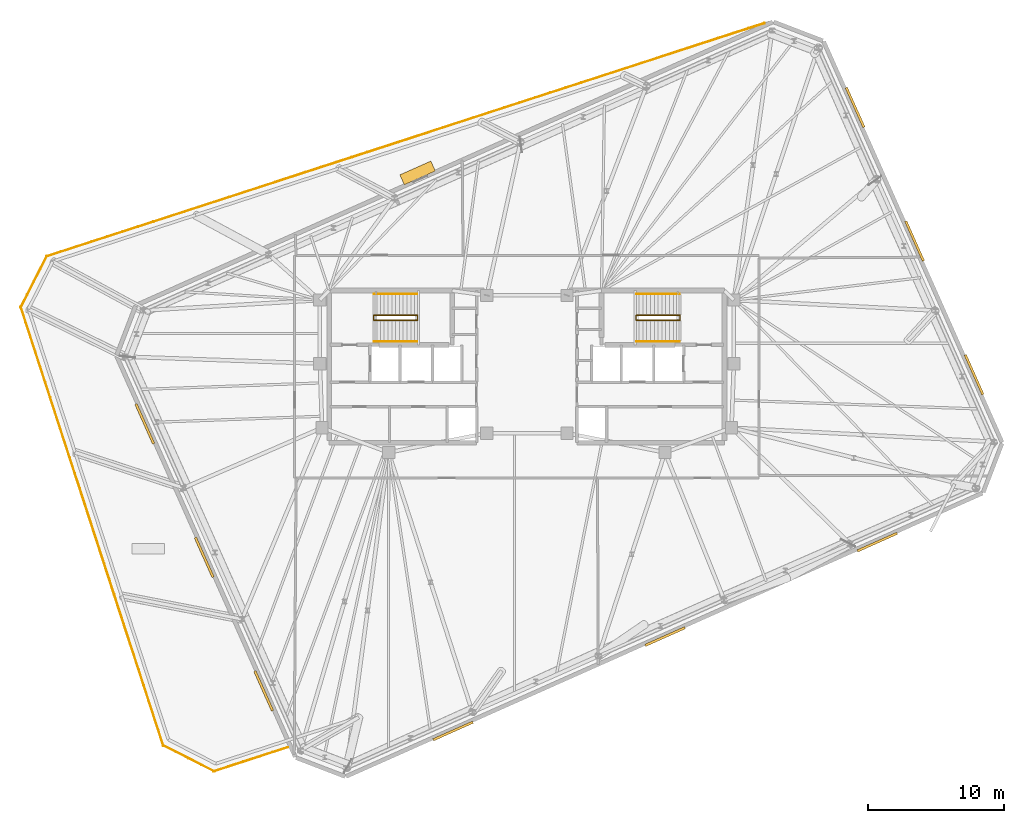
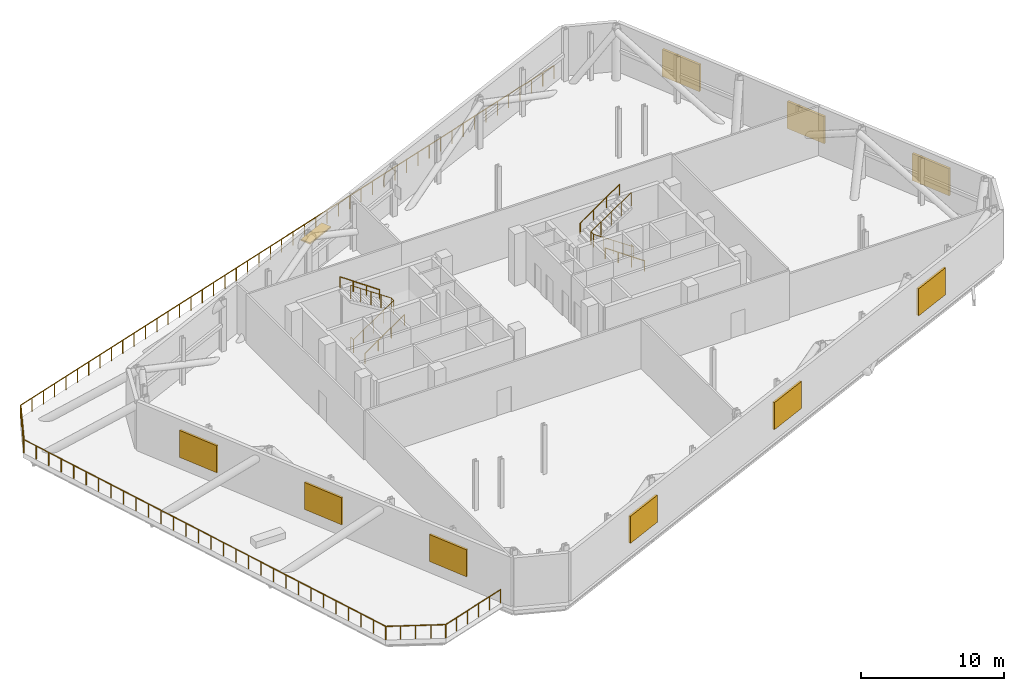
# One storey, part 15 of 15: 11 railings, 10 shading devices.
"""IFC4 building model written with IfcOpenShell, lengths in metres."""

import ifcopenshell
import ifcopenshell.guid

model = None  # the IFC model being written
_history = None  # IfcOwnerHistory: only IFC2X3 demands one
_inside = {}  # id of a spatial element -> (the spatial element, [elements in it])
_under = {}  # id of a project, library or spatial element -> (it, [spatial elements below it])
_declared = {}  # id of a project -> (the project, [libraries it declares])
_typed = {}  # id of a type object -> (the type object, [elements of that type])
_made_of = {}  # id of a material, layer set ... -> (it, [elements and type objects made of it])


def new_model(schema):
    """Start an empty IFC model of exactly this schema.

    Asked for "IFC4X3", IfcOpenShell would pick the latest addendum, in which some entities
    have other attributes; the version numbers below select the first issue.
    IFC2X3 requires an IfcOwnerHistory on every rooted entity: one is made here for all.
    """
    global model, _history
    if schema == "IFC4X3":
        model = ifcopenshell.file(schema_version=(4, 3, 0, 0))
    else:
        model = ifcopenshell.file(schema=schema)
    _inside.clear()
    _under.clear()
    _declared.clear()
    _typed.clear()
    _made_of.clear()
    _history = None
    if model.schema == "IFC2X3":
        org = make("IfcOrganization", Name="unknown")
        user = make(
            "IfcPersonAndOrganization",
            ThePerson=make("IfcPerson", FamilyName="unknown"),
            TheOrganization=org,
        )
        app = make(
            "IfcApplication",
            ApplicationDeveloper=org,
            Version="unknown",
            ApplicationFullName="unknown",
            ApplicationIdentifier="unknown",
        )
        _history = make(
            "IfcOwnerHistory",
            OwningUser=user,
            OwningApplication=app,
            ChangeAction="ADDED",
            CreationDate=0,
        )
    return model


def make(cls, **values):
    """One entity of the class cls with the attributes given. An attribute that is None is left unset."""
    return model.create_entity(
        cls, **{name: value for name, value in values.items() if value is not None}
    )


def rooted(cls, **values):
    """An entity with a GlobalId (a new one), such as an element, a storey or a relation."""
    return make(cls, GlobalId=ifcopenshell.guid.new(), OwnerHistory=_history, **values)


def si_unit(unit_type, name, prefix=None):
    """IfcSIUnit, for example si_unit("LENGTHUNIT", "METRE", prefix="MILLI")."""
    return make("IfcSIUnit", UnitType=unit_type, Prefix=prefix, Name=name)


def assignment(units):
    """IfcUnitAssignment: the units of a project."""
    return None if units is None else make("IfcUnitAssignment", Units=units)


def point(xyz):
    """IfcCartesianPoint."""
    return None if xyz is None else make("IfcCartesianPoint", Coordinates=xyz)


def direction(xyz):
    """IfcDirection."""
    return None if xyz is None else make("IfcDirection", DirectionRatios=xyz)


def frame(location, z_axis=None, x_axis=None):
    """IfcAxis2Placement3D, a coordinate frame: its origin and axes. An axis left out is left unset."""
    return make(
        "IfcAxis2Placement3D",
        Location=point(location),
        Axis=direction(z_axis),
        RefDirection=direction(x_axis),
    )


def frame_2d(location, x_axis=None):
    """IfcAxis2Placement2D, a coordinate frame in the plane: its origin and x axis."""
    return make(
        "IfcAxis2Placement2D", Location=point(location), RefDirection=direction(x_axis)
    )


def origin():
    """The frame at (0, 0, 0) with its axes left unset."""
    return frame((0.0, 0.0, 0.0))


def origin_2d():
    """The frame at (0, 0) in the plane with its x axis left unset."""
    return frame_2d((0.0, 0.0))


def place(relative_to, where):
    """IfcLocalPlacement: puts the frame where relative to a parent placement (None: the world)."""
    return make(
        "IfcLocalPlacement", PlacementRelTo=relative_to, RelativePlacement=where
    )


def context(
    kind, dimensions, precision=None, world=None, true_north=None, identifier=None
):
    """IfcGeometricRepresentationContext, for example the 3D "Model" context."""
    return make(
        "IfcGeometricRepresentationContext",
        ContextIdentifier=identifier,
        ContextType=kind,
        CoordinateSpaceDimension=dimensions,
        Precision=precision,
        WorldCoordinateSystem=world,
        TrueNorth=true_north,
    )


def subcontext(parent, identifier, kind, view, scale=None):
    """IfcGeometricRepresentationSubContext, for example "Body" below "Model"."""
    return make(
        "IfcGeometricRepresentationSubContext",
        ContextIdentifier=identifier,
        ContextType=kind,
        ParentContext=parent,
        TargetScale=scale,
        TargetView=view,
    )


def project(units=None, contexts=None):
    """IfcProject with its units and contexts."""
    return rooted(
        "IfcProject",
        Name="project",
        RepresentationContexts=contexts,
        UnitsInContext=assignment(units),
    )


def spatial(cls, under=None, at=None, **own):
    """A site, building, storey or space (cls), placed at a placement, below another one or the project."""
    s = rooted(cls, ObjectPlacement=at, **own)
    if under is not None:
        _under.setdefault(under.id(), (under, []))[1].append(s)
    return s


def profile(cls, at=None, kind="AREA", **sizes):
    """A parametric profile (cls). Its sizes go by their IFC names, for example OverallWidth=200.0."""
    return make(cls, ProfileType=kind, Position=at, **sizes)


def rectangle(**sizes):
    """IfcRectangleProfileDef."""
    return profile("IfcRectangleProfileDef", **sizes)


def circle(**sizes):
    """IfcCircleProfileDef."""
    return profile("IfcCircleProfileDef", **sizes)


def extrude(swept, where, along, depth):
    """IfcExtrudedAreaSolid: the profile swept, set in the frame where, extruded along a direction by depth."""
    return make(
        "IfcExtrudedAreaSolid",
        SweptArea=swept,
        Position=where,
        ExtrudedDirection=direction(along),
        Depth=depth,
    )


def shape(context_of_items, identifier, shape_type, items):
    """IfcShapeRepresentation: the items that make up one representation, for example the "Body"."""
    return make(
        "IfcShapeRepresentation",
        ContextOfItems=context_of_items,
        RepresentationIdentifier=identifier,
        RepresentationType=shape_type,
        Items=items,
    )


def material(Name=None, Category=None):
    """IfcMaterial."""
    return make("IfcMaterial", Name=Name, Category=Category)


def layer(
    of_material, thickness, ventilated=None, Name=None, Category=None, Priority=None
):
    """IfcMaterialLayer: one layer of a wall or slab, of a material (None: an air gap)."""
    return make(
        "IfcMaterialLayer",
        Material=of_material,
        LayerThickness=thickness,
        IsVentilated=ventilated,
        Name=Name,
        Category=Category,
        Priority=Priority,
    )


def layer_set(layers, Name=None):
    """IfcMaterialLayerSet."""
    return make("IfcMaterialLayerSet", MaterialLayers=layers, LayerSetName=Name)


def made_of(thing, what):
    """Note that an element or type object is made of a material, layer set ...; save() writes the relation."""
    if what is not None:
        _made_of.setdefault(what.id(), (what, []))[1].append(thing)
    return thing


def type_object(cls, material=None, **own):
    """A type object (cls), such as IfcWallType, which elements share."""
    return made_of(rooted(cls, **own), material)


def element(
    cls,
    number,
    at=None,
    inside=None,
    cuts=None,
    type_object=None,
    material=None,
    context=None,
    identifier="Body",
    shape_type=None,
    held_by="IfcProductDefinitionShape",
    body=None,
    shapes=None,
    **own,
):
    """One element of the class cls, such as IfcWall. Its Tag is "e" and its number.

    at: its placement. inside: the storey or other place that contains it. cuts: it is an
    opening in that element (IfcRelVoidsElement). A single representation is given by context,
    identifier, shape_type and body (its items); several are given by shapes. held_by: the class
    of the entity that holds the representations. save() writes the other relations.
    """
    e = rooted(cls, Tag="e%d" % number, ObjectPlacement=at, **own)
    if body is not None:
        shapes = [shape(context, identifier, shape_type, body)]
    if shapes is not None:
        e.Representation = make(held_by, Representations=shapes)
    if inside is not None:
        _inside.setdefault(inside.id(), (inside, []))[1].append(e)
    if cuts is not None:
        rooted(
            "IfcRelVoidsElement", RelatingBuildingElement=cuts, RelatedOpeningElement=e
        )
    if type_object is not None:
        _typed.setdefault(type_object.id(), (type_object, []))[1].append(e)
    return made_of(e, material)


def aggregate(whole, parts):
    """IfcRelAggregates: a whole, such as a stair, and the parts it consists of."""
    return rooted("IfcRelAggregates", RelatingObject=whole, RelatedObjects=parts)


def save(model, path):
    """Write the relations noted so far, then the file.

    IfcRelAggregates (storeys below a building ...), IfcRelContainedInSpatialStructure (elements
    in a storey), IfcRelDefinesByType, IfcRelAssociatesMaterial and IfcRelDeclares: one each for
    every whole, place, type object, material and project.
    """
    for whole, parts in _under.values():
        aggregate(whole, parts)
    for where, things in _inside.values():
        rooted(
            "IfcRelContainedInSpatialStructure",
            RelatedElements=things,
            RelatingStructure=where,
        )
    for kind, things in _typed.values():
        rooted("IfcRelDefinesByType", RelatedObjects=things, RelatingType=kind)
    for what, things in _made_of.values():
        rooted("IfcRelAssociatesMaterial", RelatedObjects=things, RelatingMaterial=what)
    for by, libraries in _declared.values():
        rooted("IfcRelDeclares", RelatingContext=by, RelatedDefinitions=libraries)
    model.write(path)


model = new_model("IFC4")

# Units and contexts
model_context = context("Model", 3, precision=1e-05, world=origin(), true_north=direction((0.0, 1.0)))
body_context = subcontext(model_context, "Body", "Model", "MODEL_VIEW")
ifc_project = project(units=[si_unit("LENGTHUNIT", "METRE"), si_unit("AREAUNIT", "SQUARE_METRE"), si_unit("VOLUMEUNIT", "CUBIC_METRE"), si_unit("PLANEANGLEUNIT", "RADIAN"), si_unit("MASSUNIT", "GRAM", prefix="KILO")], contexts=[model_context])

# Site, building, storey
site_placement = place(None, origin())
site = spatial("IfcSite", under=ifc_project, at=site_placement, CompositionType="ELEMENT")
building_placement = place(site_placement, origin())
building = spatial("IfcBuilding", under=site, at=building_placement, Name="Menara Jurai Vektor", CompositionType="ELEMENT")
storey_placement = place(building_placement, frame((0.0, 0.0, 254.449951171875)))
storey = spatial("IfcBuildingStorey", under=building, at=storey_placement, Name="L68", CompositionType="ELEMENT", Elevation=254.449951171875)

# Railings
ifc_material_1 = material(Name="Anodised Pale Aluminium & Laminated Glass Guardrail", Category="aluminium")
ifc_layer = layer(ifc_material_1, 0.070068359375)
ifc_layer_set = layer_set([ifc_layer], Name="Anodised Pale Aluminium & Laminated Glass Guardrail")
railing_type_1 = type_object("IfcRailingType", Name="ENV-RAIL-TER115", PredefinedType="GUARDRAIL", material=ifc_layer_set)
railing_1_placement = place(storey_placement, frame((17.504150390625, 25.29833984375, 0.0)))
element("IfcRailing", 1, at=railing_1_placement, inside=storey, type_object=railing_type_1, Name="Spiral Terrace Guardrail L68-STEP-01", PredefinedType="GUARDRAIL", context=body_context, shape_type="SweptSolid", body=[
    extrude(circle(Radius=0.02392578125, at=origin_2d()), frame((0.0, 0.0, 1.1259765625), z_axis=(-0.951056647091, -0.309016591827, 0.0), x_axis=(0.309016591827, -0.951056647091, 0.0)), (0.0, 0.0, 1.0), 55.61767578125),
    extrude(circle(Radius=0.02099609375, at=origin_2d()), origin(), (0.0, 0.0, 1.0), 1.101806640625),
    extrude(circle(Radius=0.02099609375, at=origin_2d()), frame((-1.12548828125, -0.36572265625, 0.0)), (0.0, 0.0, 1.0), 1.101806640625),
    extrude(circle(Radius=0.02099609375, at=origin_2d()), frame((-2.2509765625, -0.7314453125, 0.0)), (0.0, 0.0, 1.0), 1.101806640625),
    extrude(circle(Radius=0.02099609375, at=origin_2d()), frame((-3.376220703125, -1.096923828125, 0.0)), (0.0, 0.0, 1.0), 1.101806640625),
    extrude(circle(Radius=0.02099609375, at=origin_2d()), frame((-4.501708984375, -1.462646484375, 0.0)), (0.0, 0.0, 1.0), 1.101806640625),
    extrude(circle(Radius=0.02099609375, at=origin_2d()), frame((-5.627197265625, -1.828369140625, 0.0)), (0.0, 0.0, 1.0), 1.101806640625),
    extrude(circle(Radius=0.02099609375, at=origin_2d()), frame((-6.752685546875, -2.194091796875, 0.0)), (0.0, 0.0, 1.0), 1.101806640625),
    extrude(circle(Radius=0.02099609375, at=origin_2d()), frame((-7.878173828125, -2.559814453125, 0.0)), (0.0, 0.0, 1.0), 1.101806640625),
    extrude(circle(Radius=0.02099609375, at=origin_2d()), frame((-9.00341796875, -2.92529296875, 0.0)), (0.0, 0.0, 1.0), 1.101806640625),
    extrude(circle(Radius=0.02099609375, at=origin_2d()), frame((-10.12890625, -3.291015625, 0.0)), (0.0, 0.0, 1.0), 1.101806640625),
    extrude(circle(Radius=0.02099609375, at=origin_2d()), frame((-11.25439453125, -3.65673828125, 0.0)), (0.0, 0.0, 1.0), 1.101806640625),
    extrude(circle(Radius=0.02099609375, at=origin_2d()), frame((-12.3798828125, -4.0224609375, 0.0)), (0.0, 0.0, 1.0), 1.101806640625),
    extrude(circle(Radius=0.02099609375, at=origin_2d()), frame((-13.505126953125, -4.38818359375, 0.0)), (0.0, 0.0, 1.0), 1.101806640625),
    extrude(circle(Radius=0.02099609375, at=origin_2d()), frame((-14.630615234375, -4.75390625, 0.0)), (0.0, 0.0, 1.0), 1.101806640625),
    extrude(circle(Radius=0.02099609375, at=origin_2d()), frame((-15.756103515625, -5.119384765625, 0.0)), (0.0, 0.0, 1.0), 1.101806640625),
    extrude(circle(Radius=0.02099609375, at=origin_2d()), frame((-16.881591796875, -5.485107421875, 0.0)), (0.0, 0.0, 1.0), 1.101806640625),
    extrude(circle(Radius=0.02099609375, at=origin_2d()), frame((-18.007080078125, -5.850830078125, 0.0)), (0.0, 0.0, 1.0), 1.101806640625),
    extrude(circle(Radius=0.02099609375, at=origin_2d()), frame((-19.13232421875, -6.216552734375, 0.0)), (0.0, 0.0, 1.0), 1.101806640625),
    extrude(circle(Radius=0.02099609375, at=origin_2d()), frame((-20.2578125, -6.582275390625, 0.0)), (0.0, 0.0, 1.0), 1.101806640625),
    extrude(circle(Radius=0.02099609375, at=origin_2d()), frame((-21.38330078125, -6.94775390625, 0.0)), (0.0, 0.0, 1.0), 1.101806640625),
    extrude(circle(Radius=0.02099609375, at=origin_2d()), frame((-22.5087890625, -7.3134765625, 0.0)), (0.0, 0.0, 1.0), 1.101806640625),
    extrude(circle(Radius=0.02099609375, at=origin_2d()), frame((-23.63427734375, -7.67919921875, 0.0)), (0.0, 0.0, 1.0), 1.101806640625),
    extrude(circle(Radius=0.02099609375, at=origin_2d()), frame((-24.759521484375, -8.044921875, 0.0)), (0.0, 0.0, 1.0), 1.101806640625),
    extrude(circle(Radius=0.02099609375, at=origin_2d()), frame((-25.885009765625, -8.41064453125, 0.0)), (0.0, 0.0, 1.0), 1.101806640625),
    extrude(circle(Radius=0.02099609375, at=origin_2d()), frame((-27.010498046875, -8.776123046875, 0.0)), (0.0, 0.0, 1.0), 1.101806640625),
    extrude(circle(Radius=0.02099609375, at=origin_2d()), frame((-28.135986328125, -9.141845703125, 0.0)), (0.0, 0.0, 1.0), 1.101806640625),
    extrude(circle(Radius=0.02099609375, at=origin_2d()), frame((-29.26123046875, -9.507568359375, 0.0)), (0.0, 0.0, 1.0), 1.101806640625),
    extrude(circle(Radius=0.02099609375, at=origin_2d()), frame((-30.38671875, -9.873291015625, 0.0)), (0.0, 0.0, 1.0), 1.101806640625),
    extrude(circle(Radius=0.02099609375, at=origin_2d()), frame((-31.51220703125, -10.239013671875, 0.0)), (0.0, 0.0, 1.0), 1.101806640625),
    extrude(circle(Radius=0.02099609375, at=origin_2d()), frame((-32.6376953125, -10.6044921875, 0.0)), (0.0, 0.0, 1.0), 1.101806640625),
    extrude(circle(Radius=0.02099609375, at=origin_2d()), frame((-33.76318359375, -10.97021484375, 0.0)), (0.0, 0.0, 1.0), 1.101806640625),
    extrude(circle(Radius=0.02099609375, at=origin_2d()), frame((-34.888427734375, -11.3359375, 0.0)), (0.0, 0.0, 1.0), 1.101806640625),
    extrude(circle(Radius=0.02099609375, at=origin_2d()), frame((-36.013916015625, -11.70166015625, 0.0)), (0.0, 0.0, 1.0), 1.101806640625),
    extrude(circle(Radius=0.02099609375, at=origin_2d()), frame((-37.139404296875, -12.0673828125, 0.0)), (0.0, 0.0, 1.0), 1.101806640625),
    extrude(circle(Radius=0.02099609375, at=origin_2d()), frame((-38.264892578125, -12.432861328125, 0.0)), (0.0, 0.0, 1.0), 1.101806640625),
    extrude(circle(Radius=0.02099609375, at=origin_2d()), frame((-39.390380859375, -12.798583984375, 0.0)), (0.0, 0.0, 1.0), 1.101806640625),
    extrude(circle(Radius=0.02099609375, at=origin_2d()), frame((-40.515625, -13.164306640625, 0.0)), (0.0, 0.0, 1.0), 1.101806640625),
    extrude(circle(Radius=0.02099609375, at=origin_2d()), frame((-41.64111328125, -13.530029296875, 0.0)), (0.0, 0.0, 1.0), 1.101806640625),
    extrude(circle(Radius=0.02099609375, at=origin_2d()), frame((-42.7666015625, -13.895751953125, 0.0)), (0.0, 0.0, 1.0), 1.101806640625),
    extrude(circle(Radius=0.02099609375, at=origin_2d()), frame((-43.89208984375, -14.261474609375, 0.0)), (0.0, 0.0, 1.0), 1.101806640625),
    extrude(circle(Radius=0.02099609375, at=origin_2d()), frame((-45.017333984375, -14.626953125, 0.0)), (0.0, 0.0, 1.0), 1.101806640625),
    extrude(circle(Radius=0.02099609375, at=origin_2d()), frame((-46.142822265625, -14.99267578125, 0.0)), (0.0, 0.0, 1.0), 1.101806640625),
    extrude(circle(Radius=0.02099609375, at=origin_2d()), frame((-47.268310546875, -15.3583984375, 0.0)), (0.0, 0.0, 1.0), 1.101806640625),
    extrude(circle(Radius=0.02099609375, at=origin_2d()), frame((-48.393798828125, -15.72412109375, 0.0)), (0.0, 0.0, 1.0), 1.101806640625),
    extrude(circle(Radius=0.02099609375, at=origin_2d()), frame((-49.519287109375, -16.08984375, 0.0)), (0.0, 0.0, 1.0), 1.101806640625),
    extrude(circle(Radius=0.02099609375, at=origin_2d()), frame((-50.64453125, -16.455322265625, 0.0)), (0.0, 0.0, 1.0), 1.101806640625),
    extrude(circle(Radius=0.02099609375, at=origin_2d()), frame((-51.77001953125, -16.821044921875, 0.0)), (0.0, 0.0, 1.0), 1.101806640625),
    extrude(circle(Radius=0.02099609375, at=origin_2d()), frame((-52.8955078125, -17.186767578125, 0.0)), (0.0, 0.0, 1.0), 1.101806640625),
])
railing_2_placement = place(storey_placement, frame((-35.3564453125, 8.1416015625, 0.0)))
element("IfcRailing", 2, at=railing_2_placement, inside=storey, type_object=railing_type_1, Name="Spiral Terrace Guardrail L68-STEP-02", PredefinedType="GUARDRAIL", context=body_context, shape_type="SweptSolid", body=[
    extrude(circle(Radius=0.02392578125, at=origin_2d()), frame((0.0, 0.0, 1.1259765625), z_axis=(-0.453944744959, -0.891029835934, 0.0), x_axis=(0.891029835934, -0.453944744959, 0.0)), (0.0, 0.0, 1.0), 4.242919921875),
    extrude(circle(Radius=0.02099609375, at=origin_2d()), origin(), (0.0, 0.0, 1.0), 1.101806640625),
    extrude(circle(Radius=0.02099609375, at=origin_2d()), frame((-0.4814453125, -0.945068359375, 0.0)), (0.0, 0.0, 1.0), 1.101806640625),
    extrude(circle(Radius=0.02099609375, at=origin_2d()), frame((-0.962890625, -1.89013671875, 0.0)), (0.0, 0.0, 1.0), 1.101806640625),
    extrude(circle(Radius=0.02099609375, at=origin_2d()), frame((-1.444580078125, -2.83544921875, 0.0)), (0.0, 0.0, 1.0), 1.101806640625),
    extrude(circle(Radius=0.02099609375, at=origin_2d()), frame((-1.926025390625, -3.780517578125, 0.0)), (0.0, 0.0, 1.0), 1.101806640625),
])
railing_3_placement = place(storey_placement, frame((-37.27880859375, 4.406982421875, 0.0)))
element("IfcRailing", 3, at=railing_3_placement, inside=storey, type_object=railing_type_1, Name="Spiral Terrace Guardrail L68-STEP-03", PredefinedType="GUARDRAIL", context=body_context, shape_type="SweptSolid", body=[
    extrude(circle(Radius=0.02392578125, at=origin_2d()), frame((0.0, 0.0, 1.1259765625), z_axis=(0.309010733732, -0.951058550479, 0.0), x_axis=(0.951058550479, 0.309010733732, 0.0)), (0.0, 0.0, 1.0), 34.0),
    extrude(circle(Radius=0.02099609375, at=origin_2d()), origin(), (0.0, 0.0, 1.0), 1.101806640625),
    extrude(circle(Radius=0.02099609375, at=origin_2d()), frame((0.3623046875, -1.114990234375, 0.0)), (0.0, 0.0, 1.0), 1.101806640625),
    extrude(circle(Radius=0.02099609375, at=origin_2d()), frame((0.724609375, -2.22998046875, 0.0)), (0.0, 0.0, 1.0), 1.101806640625),
    extrude(circle(Radius=0.02099609375, at=origin_2d()), frame((1.0869140625, -3.34521484375, 0.0)), (0.0, 0.0, 1.0), 1.101806640625),
    extrude(circle(Radius=0.02099609375, at=origin_2d()), frame((1.44921875, -4.460205078125, 0.0)), (0.0, 0.0, 1.0), 1.101806640625),
    extrude(circle(Radius=0.02099609375, at=origin_2d()), frame((1.8115234375, -5.5751953125, 0.0)), (0.0, 0.0, 1.0), 1.101806640625),
    extrude(circle(Radius=0.02099609375, at=origin_2d()), frame((2.173828125, -6.690185546875, 0.0)), (0.0, 0.0, 1.0), 1.101806640625),
    extrude(circle(Radius=0.02099609375, at=origin_2d()), frame((2.5361328125, -7.80517578125, 0.0)), (0.0, 0.0, 1.0), 1.101806640625),
    extrude(circle(Radius=0.02099609375, at=origin_2d()), frame((2.898193359375, -8.920166015625, 0.0)), (0.0, 0.0, 1.0), 1.101806640625),
    extrude(circle(Radius=0.02099609375, at=origin_2d()), frame((3.260498046875, -10.035400390625, 0.0)), (0.0, 0.0, 1.0), 1.101806640625),
    extrude(circle(Radius=0.02099609375, at=origin_2d()), frame((3.622802734375, -11.150390625, 0.0)), (0.0, 0.0, 1.0), 1.101806640625),
    extrude(circle(Radius=0.02099609375, at=origin_2d()), frame((3.985107421875, -12.265380859375, 0.0)), (0.0, 0.0, 1.0), 1.101806640625),
    extrude(circle(Radius=0.02099609375, at=origin_2d()), frame((4.347412109375, -13.38037109375, 0.0)), (0.0, 0.0, 1.0), 1.101806640625),
    extrude(circle(Radius=0.02099609375, at=origin_2d()), frame((4.709716796875, -14.495361328125, 0.0)), (0.0, 0.0, 1.0), 1.101806640625),
    extrude(circle(Radius=0.02099609375, at=origin_2d()), frame((5.072021484375, -15.6103515625, 0.0)), (0.0, 0.0, 1.0), 1.101806640625),
    extrude(circle(Radius=0.02099609375, at=origin_2d()), frame((5.434326171875, -16.7255859375, 0.0)), (0.0, 0.0, 1.0), 1.101806640625),
    extrude(circle(Radius=0.02099609375, at=origin_2d()), frame((5.796630859375, -17.840576171875, 0.0)), (0.0, 0.0, 1.0), 1.101806640625),
    extrude(circle(Radius=0.02099609375, at=origin_2d()), frame((6.158935546875, -18.95556640625, 0.0)), (0.0, 0.0, 1.0), 1.101806640625),
    extrude(circle(Radius=0.02099609375, at=origin_2d()), frame((6.521240234375, -20.070556640625, 0.0)), (0.0, 0.0, 1.0), 1.101806640625),
    extrude(circle(Radius=0.02099609375, at=origin_2d()), frame((6.883544921875, -21.185546875, 0.0)), (0.0, 0.0, 1.0), 1.101806640625),
    extrude(circle(Radius=0.02099609375, at=origin_2d()), frame((7.245849609375, -22.300537109375, 0.0)), (0.0, 0.0, 1.0), 1.101806640625),
    extrude(circle(Radius=0.02099609375, at=origin_2d()), frame((7.608154296875, -23.415771484375, 0.0)), (0.0, 0.0, 1.0), 1.101806640625),
    extrude(circle(Radius=0.02099609375, at=origin_2d()), frame((7.97021484375, -24.53076171875, 0.0)), (0.0, 0.0, 1.0), 1.101806640625),
    extrude(circle(Radius=0.02099609375, at=origin_2d()), frame((8.33251953125, -25.645751953125, 0.0)), (0.0, 0.0, 1.0), 1.101806640625),
    extrude(circle(Radius=0.02099609375, at=origin_2d()), frame((8.69482421875, -26.7607421875, 0.0)), (0.0, 0.0, 1.0), 1.101806640625),
    extrude(circle(Radius=0.02099609375, at=origin_2d()), frame((9.05712890625, -27.875732421875, 0.0)), (0.0, 0.0, 1.0), 1.101806640625),
    extrude(circle(Radius=0.02099609375, at=origin_2d()), frame((9.41943359375, -28.99072265625, 0.0)), (0.0, 0.0, 1.0), 1.101806640625),
    extrude(circle(Radius=0.02099609375, at=origin_2d()), frame((9.78173828125, -30.10595703125, 0.0)), (0.0, 0.0, 1.0), 1.101806640625),
    extrude(circle(Radius=0.02099609375, at=origin_2d()), frame((10.14404296875, -31.220947265625, 0.0)), (0.0, 0.0, 1.0), 1.101806640625),
    extrude(circle(Radius=0.02099609375, at=origin_2d()), frame((10.50634765625, -32.3359375, 0.0)), (0.0, 0.0, 1.0), 1.101806640625),
])
railing_4_placement = place(storey_placement, frame((-26.80224609375, -27.89404296875, 0.0)))
element("IfcRailing", 4, at=railing_4_placement, inside=storey, type_object=railing_type_1, Name="Spiral Terrace Guardrail L68-STEP-04", PredefinedType="GUARDRAIL", context=body_context, shape_type="SweptSolid", body=[
    extrude(circle(Radius=0.02392578125, at=origin_2d()), frame((0.0, 0.0, 1.1259765625), z_axis=(0.891017977689, -0.453968020278, 0.0), x_axis=(0.453968020278, 0.891017977689, 0.0)), (0.0, 0.0, 1.0), 4.24267578125),
    extrude(circle(Radius=0.02099609375, at=origin_2d()), origin(), (0.0, 0.0, 1.0), 1.101806640625),
    extrude(circle(Radius=0.02099609375, at=origin_2d()), frame((0.945068359375, -0.4814453125, 0.0)), (0.0, 0.0, 1.0), 1.101806640625),
    extrude(circle(Radius=0.02099609375, at=origin_2d()), frame((1.89013671875, -0.962890625, 0.0)), (0.0, 0.0, 1.0), 1.101806640625),
    extrude(circle(Radius=0.02099609375, at=origin_2d()), frame((2.835205078125, -1.444580078125, 0.0)), (0.0, 0.0, 1.0), 1.101806640625),
    extrude(circle(Radius=0.02099609375, at=origin_2d()), frame((3.7802734375, -1.926025390625, 0.0)), (0.0, 0.0, 1.0), 1.101806640625),
])
railing_5_placement = place(storey_placement, frame((-23.067626953125, -29.81640625, 0.0)))
element("IfcRailing", 5, at=railing_5_placement, inside=storey, type_object=railing_type_1, Name="Spiral Terrace Guardrail L68-STEP-05", PredefinedType="GUARDRAIL", context=body_context, shape_type="SweptSolid", body=[
    extrude(circle(Radius=0.02392578125, at=origin_2d()), frame((0.0, 0.0, 1.1259765625), z_axis=(0.951052838013, 0.309028314733, 0.0), x_axis=(-0.309028314733, 0.951052838013, 0.0)), (0.0, 0.0, 1.0), 5.73486328125),
    extrude(circle(Radius=0.02099609375, at=origin_2d()), origin(), (0.0, 0.0, 1.0), 1.101806640625),
    extrude(circle(Radius=0.02099609375, at=origin_2d()), frame((1.0908203125, 0.3544921875, 0.0)), (0.0, 0.0, 1.0), 1.101806640625),
    extrude(circle(Radius=0.02099609375, at=origin_2d()), frame((2.181640625, 0.708984375, 0.0)), (0.0, 0.0, 1.0), 1.101806640625),
    extrude(circle(Radius=0.02099609375, at=origin_2d()), frame((3.2724609375, 1.063232421875, 0.0)), (0.0, 0.0, 1.0), 1.101806640625),
    extrude(circle(Radius=0.02099609375, at=origin_2d()), frame((4.36328125, 1.417724609375, 0.0)), (0.0, 0.0, 1.0), 1.101806640625),
    extrude(circle(Radius=0.02099609375, at=origin_2d()), frame((5.4541015625, 1.772216796875, 0.0)), (0.0, 0.0, 1.0), 1.101806640625),
])

# Shading devices
ifc_material_2 = material(Name="Anodised Pale Aluminium Acoustic Louvre", Category="aluminium")
shading_device_type_1 = type_object("IfcShadingDeviceType", Name="ENV-SHD-LOUVRE", PredefinedType="USERDEFINED", material=ifc_material_2)
for number, where, z_axis, x_axis, name in (
    (6, (-5.439697265625, -26.841796875, 1.02099609375), (0.0, 0.0, 1.0), (0.913545457643, 0.406736643076, 0.0), "Acoustic Plant Weather Louvre L68-E01-1"),
    (7, (10.184814453125, -19.88525390625, 1.02099609375), (0.0, 0.0, 1.0), (0.913545457643, 0.406736643076, 0.0), "Acoustic Plant Weather Louvre L68-E01-2"),
    (8, (25.8095703125, -12.9287109375, 1.02099609375), (0.0, 0.0, 1.0), (0.913545457643, 0.406736643076, 0.0), "Acoustic Plant Weather Louvre L68-E01-3"),
    (9, (32.944580078125, -0.58984375, 1.02099609375), (0.0, 0.0, 1.0), (-0.406736643076, 0.913545457643, 0.0), "Acoustic Plant Weather Louvre L68-E03-1"),
    (10, (28.56396484375, 9.248779296875, 1.02099609375), (0.0, 0.0, 1.0), (-0.406736643076, 0.913545457643, 0.0), "Acoustic Plant Weather Louvre L68-E03-2"),
    (11, (24.183349609375, 19.087890625, 1.02099609375), (0.0, 0.0, 1.0), (-0.406736643076, 0.913545457643, 0.0), "Acoustic Plant Weather Louvre L68-E03-3"),
    (12, (-28.14453125, -4.210205078125, 1.02099609375), (0.0, 0.0, 1.0), (0.406736643076, -0.913545457643, 0.0), "Acoustic Plant Weather Louvre L68-E07-1"),
    (13, (-23.763916015625, -14.048828125, 1.02099609375), (0.0, 0.0, 1.0), (0.406736643076, -0.913545457643, 0.0), "Acoustic Plant Weather Louvre L68-E07-2"),
    (14, (-19.38330078125, -23.8876953125, 1.02099609375), (0.0, 0.0, 1.0), (0.406736643076, -0.913545457643, 0.0), "Acoustic Plant Weather Louvre L68-E07-3"),
):
    element("IfcShadingDevice", number, at=place(storey_placement, frame(where, z_axis=z_axis, x_axis=x_axis)), inside=storey, type_object=shading_device_type_1, Name=name, ObjectType="LOUVRE", PredefinedType="USERDEFINED", context=body_context, shape_type="SweptSolid", body=[
        extrude(rectangle(XDim=3.199951171875, YDim=0.179931640625, at=origin_2d()), origin(), (0.0, 0.0, 1.0), 2.300048828125),
    ])
ifc_material_3 = material(Name="Anodised Pale Aluminium Sunshade Blade", Category="aluminium")
shading_device_type_2 = type_object("IfcShadingDeviceType", Name="ENV-SHD-SUNSHADE", PredefinedType="USERDEFINED", material=ifc_material_3)
shading_device_placement = place(storey_placement, frame((-8.04931640625, 14.271240234375, 2.389892578125), z_axis=(0.0, 0.0, 1.0), x_axis=(-0.913545457643, -0.406736643076, 0.0)))
element("IfcShadingDevice", 15, at=shading_device_placement, inside=storey, type_object=shading_device_type_2, Name="Doorway Pale-Metal Sunshade L68-STEP", ObjectType="SUNSHADE", PredefinedType="USERDEFINED", context=body_context, shape_type="SweptSolid", body=[
    extrude(rectangle(XDim=2.5, YDim=0.800048828125, at=origin_2d()), origin(), (0.0, 0.0, 1.0), 0.1201171875),
])

# Railings
ifc_material_4 = material(Name="Painted Galvanised Steel Balustrade", Category="steel")
railing_type_2 = type_object("IfcRailingType", Name="RAIL-STAIR-GUARD", PredefinedType="GUARDRAIL", material=ifc_material_4)
railing_6_placement = place(storey_placement, frame((-11.2900390625, 3.780029296875, 0.0)))
element("IfcRailing", 16, at=railing_6_placement, inside=storey, type_object=railing_type_2, Name="ST1 Stair Guardrail 1 L68", PredefinedType="GUARDRAIL", context=body_context, shape_type="SweptSolid", body=[
    extrude(circle(Radius=0.02392578125, at=origin_2d()), frame((0.0, 0.0, 1.1259765625), z_axis=(0.0, -1.0, 0.0), x_axis=(1.0, 0.0, 0.0)), (0.0, 0.0, 1.0), 0.360107421875),
    extrude(circle(Radius=0.02392578125, at=origin_2d()), frame((0.0, -0.360107421875, 1.1259765625), z_axis=(0.827311259865, 0.0, 0.56174378439), x_axis=(0.0, 1.0, 0.0)), (0.0, 0.0, 1.0), 3.916259765625),
    extrude(circle(Radius=0.02392578125, at=origin_2d()), frame((3.239990234375, -0.360107421875, 3.32568359375), z_axis=(0.0, 1.0, 0.0), x_axis=(-1.0, 0.0, 0.0)), (0.0, 0.0, 1.0), 0.360107421875),
    extrude(circle(Radius=0.02392578125, at=origin_2d()), frame((3.239990234375, 0.0, 3.32568359375), z_axis=(-0.827282288178, 0.0, 0.561786450234), x_axis=(0.0, -1.0, 0.0)), (0.0, 0.0, 1.0), 3.91650390625),
    extrude(circle(Radius=0.02099609375, at=origin_2d()), origin(), (0.0, 0.0, 1.0), 1.101806640625),
    extrude(circle(Radius=0.02099609375, at=origin_2d()), frame((0.0, -0.360107421875, 0.0)), (0.0, 0.0, 1.0), 1.101806640625),
    extrude(circle(Radius=0.02099609375, at=origin_2d()), frame((0.81005859375, -0.360107421875, 0.550048828125)), (0.0, 0.0, 1.0), 1.101806640625),
    extrude(circle(Radius=0.02099609375, at=origin_2d()), frame((1.6201171875, -0.360107421875, 1.10009765625)), (0.0, 0.0, 1.0), 1.101806640625),
    extrude(circle(Radius=0.02099609375, at=origin_2d()), frame((2.429931640625, -0.360107421875, 1.64990234375)), (0.0, 0.0, 1.0), 1.101806640625),
    extrude(circle(Radius=0.02099609375, at=origin_2d()), frame((3.239990234375, -0.360107421875, 2.199951171875)), (0.0, 0.0, 1.0), 1.101806640625),
    extrude(circle(Radius=0.02099609375, at=origin_2d()), frame((3.239990234375, 0.0, 2.199951171875)), (0.0, 0.0, 1.0), 1.101806640625),
    extrude(circle(Radius=0.02099609375, at=origin_2d()), frame((2.429931640625, 0.0, 2.75)), (0.0, 0.0, 1.0), 1.101806640625),
    extrude(circle(Radius=0.02099609375, at=origin_2d()), frame((1.6201171875, 0.0, 3.300048828125)), (0.0, 0.0, 1.0), 1.101806640625),
    extrude(circle(Radius=0.02099609375, at=origin_2d()), frame((0.81005859375, 0.0, 3.85009765625)), (0.0, 0.0, 1.0), 1.101806640625),
    extrude(circle(Radius=0.02099609375, at=origin_2d()), frame((0.0, 0.0, 4.400146484375)), (0.0, 0.0, 1.0), 1.101806640625),
])
railing_7_placement = place(storey_placement, frame((11.2900390625, 3.780029296875, 0.0)))
element("IfcRailing", 17, at=railing_7_placement, inside=storey, type_object=railing_type_2, Name="ST2 Stair Guardrail 1 L68", PredefinedType="GUARDRAIL", context=body_context, shape_type="SweptSolid", body=[
    extrude(circle(Radius=0.02392578125, at=origin_2d()), frame((0.0, 0.0, 1.1259765625), z_axis=(0.0, -1.0, 0.0), x_axis=(1.0, 0.0, 0.0)), (0.0, 0.0, 1.0), 0.360107421875),
    extrude(circle(Radius=0.02392578125, at=origin_2d()), frame((0.0, -0.360107421875, 1.1259765625), z_axis=(-0.827311259865, 0.0, 0.56174378439), x_axis=(0.0, -1.0, 0.0)), (0.0, 0.0, 1.0), 3.916259765625),
    extrude(circle(Radius=0.02392578125, at=origin_2d()), frame((-3.239990234375, -0.360107421875, 3.32568359375), z_axis=(0.0, 1.0, 0.0), x_axis=(-1.0, 0.0, 0.0)), (0.0, 0.0, 1.0), 0.360107421875),
    extrude(circle(Radius=0.02392578125, at=origin_2d()), frame((-3.239990234375, 0.0, 3.32568359375), z_axis=(0.827282288178, 0.0, 0.561786450234), x_axis=(0.0, 1.0, 0.0)), (0.0, 0.0, 1.0), 3.91650390625),
    extrude(circle(Radius=0.02099609375, at=origin_2d()), origin(), (0.0, 0.0, 1.0), 1.101806640625),
    extrude(circle(Radius=0.02099609375, at=origin_2d()), frame((0.0, -0.360107421875, 0.0)), (0.0, 0.0, 1.0), 1.101806640625),
    extrude(circle(Radius=0.02099609375, at=origin_2d()), frame((-0.81005859375, -0.360107421875, 0.550048828125)), (0.0, 0.0, 1.0), 1.101806640625),
    extrude(circle(Radius=0.02099609375, at=origin_2d()), frame((-1.6201171875, -0.360107421875, 1.10009765625)), (0.0, 0.0, 1.0), 1.101806640625),
    extrude(circle(Radius=0.02099609375, at=origin_2d()), frame((-2.429931640625, -0.360107421875, 1.64990234375)), (0.0, 0.0, 1.0), 1.101806640625),
    extrude(circle(Radius=0.02099609375, at=origin_2d()), frame((-3.239990234375, -0.360107421875, 2.199951171875)), (0.0, 0.0, 1.0), 1.101806640625),
    extrude(circle(Radius=0.02099609375, at=origin_2d()), frame((-3.239990234375, 0.0, 2.199951171875)), (0.0, 0.0, 1.0), 1.101806640625),
    extrude(circle(Radius=0.02099609375, at=origin_2d()), frame((-2.429931640625, 0.0, 2.75)), (0.0, 0.0, 1.0), 1.101806640625),
    extrude(circle(Radius=0.02099609375, at=origin_2d()), frame((-1.6201171875, 0.0, 3.300048828125)), (0.0, 0.0, 1.0), 1.101806640625),
    extrude(circle(Radius=0.02099609375, at=origin_2d()), frame((-0.81005859375, 0.0, 3.85009765625)), (0.0, 0.0, 1.0), 1.101806640625),
    extrude(circle(Radius=0.02099609375, at=origin_2d()), frame((0.0, 0.0, 4.400146484375)), (0.0, 0.0, 1.0), 1.101806640625),
])
ifc_material_5 = material(Name="Brushed Stainless Steel Handrail", Category="steel")
railing_type_3 = type_object("IfcRailingType", Name="RAIL-STAIR-HAND", PredefinedType="HANDRAIL", material=ifc_material_5)
railing_8_placement = place(storey_placement, frame((-11.25, 1.860107421875, 0.0)))
element("IfcRailing", 18, at=railing_8_placement, inside=storey, type_object=railing_type_3, Name="ST1 Stair Handrail 1 L68", PredefinedType="HANDRAIL", context=body_context, shape_type="SweptSolid", body=[
    extrude(circle(Radius=0.02392578125, at=origin_2d()), frame((0.0, 0.0, 0.89599609375), z_axis=(0.820691899253, 0.0, 0.571370988501), x_axis=(0.0, 1.0, 0.0)), (0.0, 0.0, 1.0), 3.850341796875),
    extrude(circle(Radius=0.02099609375, at=origin_2d()), origin(), (0.0, 0.0, 1.0), 0.871826171875),
    extrude(circle(Radius=0.02099609375, at=origin_2d()), frame((1.05322265625, 0.0, 0.7333984375)), (0.0, 0.0, 1.0), 0.871826171875),
    extrude(circle(Radius=0.02099609375, at=origin_2d()), frame((2.106689453125, 0.0, 1.466552734375)), (0.0, 0.0, 1.0), 0.871826171875),
    extrude(circle(Radius=0.02099609375, at=origin_2d()), frame((3.159912109375, 0.0, 2.199951171875)), (0.0, 0.0, 1.0), 0.871826171875),
])
railing_9_placement = place(storey_placement, frame((-8.090087890625, 5.340087890625, 2.199951171875)))
element("IfcRailing", 19, at=railing_9_placement, inside=storey, type_object=railing_type_3, Name="ST1 Stair Handrail 2 L68", PredefinedType="HANDRAIL", context=body_context, shape_type="SweptSolid", body=[
    extrude(circle(Radius=0.02392578125, at=origin_2d()), frame((0.0, 0.0, 0.89599609375), z_axis=(-0.820662165891, 0.0, 0.571413693812), x_axis=(0.0, -1.0, 0.0)), (0.0, 0.0, 1.0), 3.850341796875),
    extrude(circle(Radius=0.02099609375, at=origin_2d()), origin(), (0.0, 0.0, 1.0), 0.871826171875),
    extrude(circle(Radius=0.02099609375, at=origin_2d()), frame((-1.05322265625, 0.0, 0.7333984375)), (0.0, 0.0, 1.0), 0.871826171875),
    extrude(circle(Radius=0.02099609375, at=origin_2d()), frame((-2.106689453125, 0.0, 1.466796875)), (0.0, 0.0, 1.0), 0.871826171875),
    extrude(circle(Radius=0.02099609375, at=origin_2d()), frame((-3.159912109375, 0.0, 2.2001953125)), (0.0, 0.0, 1.0), 0.871826171875),
])
railing_10_placement = place(storey_placement, frame((11.25, 1.860107421875, 0.0)))
element("IfcRailing", 20, at=railing_10_placement, inside=storey, type_object=railing_type_3, Name="ST2 Stair Handrail 1 L68", PredefinedType="HANDRAIL", context=body_context, shape_type="SweptSolid", body=[
    extrude(circle(Radius=0.02392578125, at=origin_2d()), frame((0.0, 0.0, 0.89599609375), z_axis=(-0.820691899253, 0.0, 0.571370988501), x_axis=(0.0, -1.0, 0.0)), (0.0, 0.0, 1.0), 3.850341796875),
    extrude(circle(Radius=0.02099609375, at=origin_2d()), origin(), (0.0, 0.0, 1.0), 0.871826171875),
    extrude(circle(Radius=0.02099609375, at=origin_2d()), frame((-1.05322265625, 0.0, 0.7333984375)), (0.0, 0.0, 1.0), 0.871826171875),
    extrude(circle(Radius=0.02099609375, at=origin_2d()), frame((-2.106689453125, 0.0, 1.466552734375)), (0.0, 0.0, 1.0), 0.871826171875),
    extrude(circle(Radius=0.02099609375, at=origin_2d()), frame((-3.159912109375, 0.0, 2.199951171875)), (0.0, 0.0, 1.0), 0.871826171875),
])
railing_11_placement = place(storey_placement, frame((8.090087890625, 5.340087890625, 2.199951171875)))
element("IfcRailing", 21, at=railing_11_placement, inside=storey, type_object=railing_type_3, Name="ST2 Stair Handrail 2 L68", PredefinedType="HANDRAIL", context=body_context, shape_type="SweptSolid", body=[
    extrude(circle(Radius=0.02392578125, at=origin_2d()), frame((0.0, 0.0, 0.89599609375), z_axis=(0.820662165891, 0.0, 0.571413693812), x_axis=(0.0, 1.0, 0.0)), (0.0, 0.0, 1.0), 3.850341796875),
    extrude(circle(Radius=0.02099609375, at=origin_2d()), origin(), (0.0, 0.0, 1.0), 0.871826171875),
    extrude(circle(Radius=0.02099609375, at=origin_2d()), frame((1.05322265625, 0.0, 0.7333984375)), (0.0, 0.0, 1.0), 0.871826171875),
    extrude(circle(Radius=0.02099609375, at=origin_2d()), frame((2.106689453125, 0.0, 1.466796875)), (0.0, 0.0, 1.0), 0.871826171875),
    extrude(circle(Radius=0.02099609375, at=origin_2d()), frame((3.159912109375, 0.0, 2.2001953125)), (0.0, 0.0, 1.0), 0.871826171875),
])

save(model, "model.ifc")
